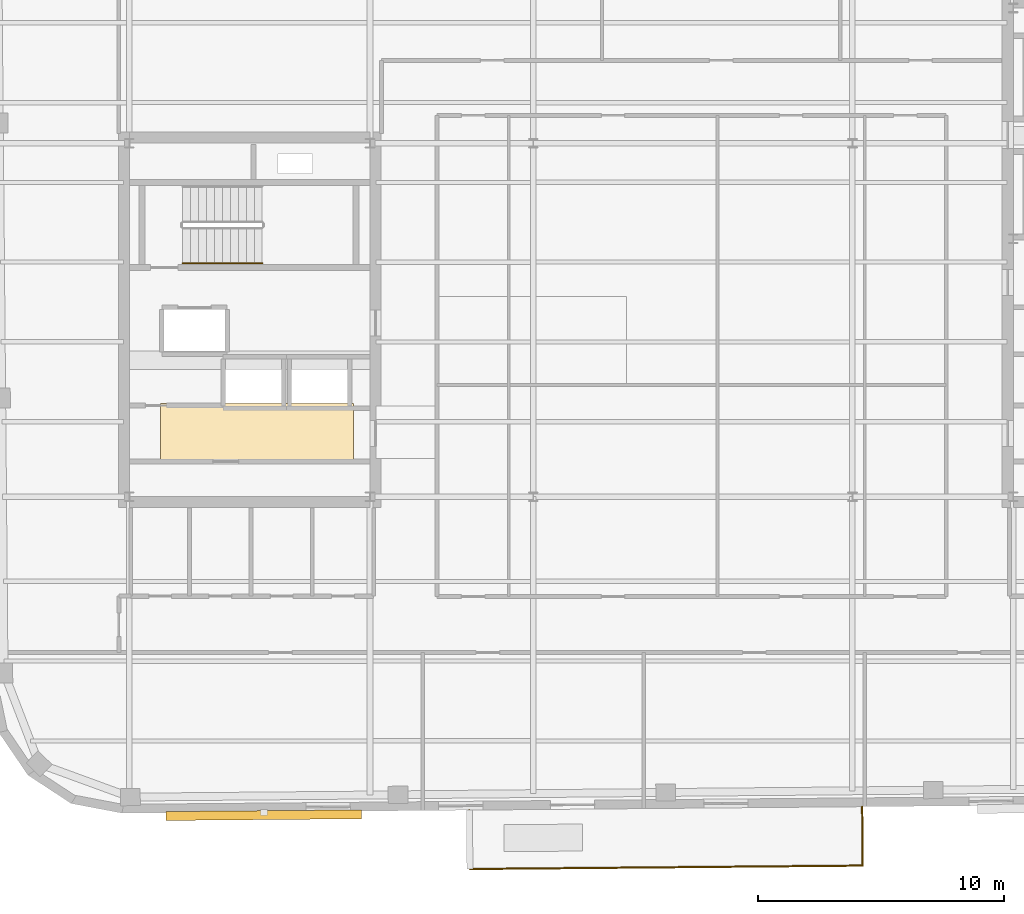
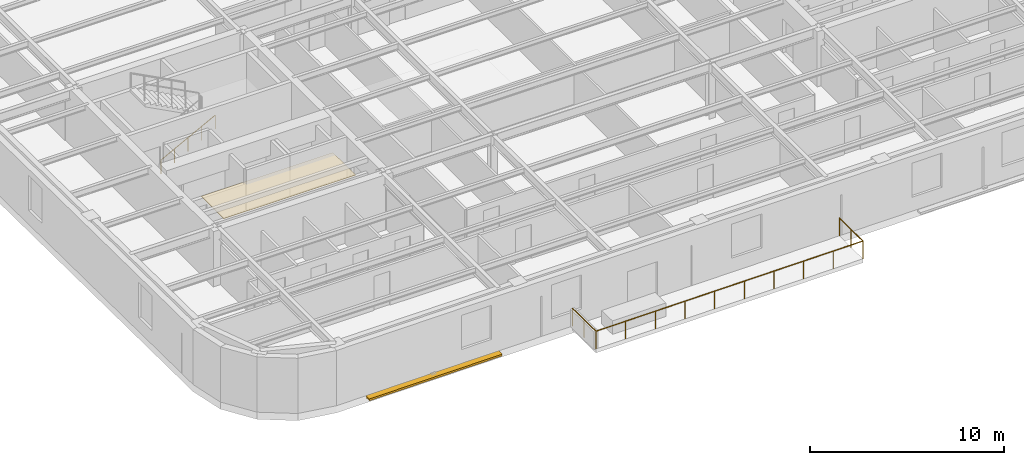
# One storey, part 11 of 14: 2 railings, 1 covering, 1 shading device.
"""IFC4 building model written with IfcOpenShell, lengths in metres."""

from ifc_helpers import new_model, si_unit, direction, frame, origin, origin_2d, place, context, subcontext, project, spatial, polyline, rectangle, circle, outline, extrude, material, layer, layer_set, type_object, element, save


model = new_model("IFC4")

# Units and contexts
model_context = context("Model", 3, precision=1e-05, world=origin(), true_north=direction((0.0, 1.0)))
body_context = subcontext(model_context, "Body", "Model", "MODEL_VIEW")
ifc_project = project(units=[si_unit("LENGTHUNIT", "METRE"), si_unit("AREAUNIT", "SQUARE_METRE"), si_unit("VOLUMEUNIT", "CUBIC_METRE"), si_unit("PLANEANGLEUNIT", "RADIAN"), si_unit("MASSUNIT", "GRAM", prefix="KILO")], contexts=[model_context])

# Site, building, storey
site_placement = place(None, origin())
site = spatial("IfcSite", under=ifc_project, at=site_placement, CompositionType="ELEMENT")
building_placement = place(site_placement, origin())
building = spatial("IfcBuilding", under=site, at=building_placement, Name="Kolvaren Arena Tower", CompositionType="ELEMENT")
storey_placement = place(building_placement, frame((0.0, 0.0, 274.89990234375)))
storey = spatial("IfcBuildingStorey", under=building, at=storey_placement, Name="L67", CompositionType="ELEMENT", Elevation=274.89990234375)

# Covering
ifc_material_1 = material(Name="Moisture-resistant gypsum ceiling", Category="gypsum")
ifc_layer = layer(ifc_material_1, 0.030029296875)
ifc_layer_set = layer_set([ifc_layer], Name="Moisture-resistant gypsum ceiling")
covering_type = type_object("IfcCoveringType", Name="CEIL-GYP-1", PredefinedType="CEILING", material=ifc_layer_set)
covering_placement = place(storey_placement, frame((0.0, 0.0, 2.52001953125)))
element("IfcCovering", 1, at=covering_placement, inside=storey, type_object=covering_type, Name="Suspended Ceiling (L67)", PredefinedType="CEILING", context=body_context, shape_type="SweptSolid", body=[
    extrude(outline(polyline([(15.820068359375, 20.89990234375), (15.820068359375, 23.239990234375), (23.679931640625, 23.239990234375), (23.679931640625, 20.89990234375), (15.820068359375, 20.89990234375)])), origin(), (0.0, 0.0, 1.0), 0.030029296875),
])

# Railings
ifc_material_2 = material(Name="Stainless steel and laminated glass guard", Category="steel")
railing_type_1 = type_object("IfcRailingType", Name="GUARD-TER-115", PredefinedType="BALUSTRADE", material=ifc_material_2)
railing_1_placement = place(storey_placement, frame((28.397216796875, 6.680908203125, 0.0)))
element("IfcRailing", 2, at=railing_1_placement, inside=storey, type_object=railing_type_1, Name="Setback Terrace Perimeter Guardrail (L67)", PredefinedType="BALUSTRADE", context=body_context, shape_type="SweptSolid", body=[
    extrude(circle(Radius=0.030029296875, at=origin_2d()), frame((0.0, 0.0, 1.119873046875), z_axis=(0.00864667573, -0.999962616801, 0.0), x_axis=(0.999962616801, 0.00864667573, 0.0)), (0.0, 0.0, 1.0), 2.39990234375),
    extrude(circle(Radius=0.030029296875, at=origin_2d()), frame((0.020751953125, -2.39990234375, 1.119873046875), z_axis=(0.999961777332, 0.008743218763, 0.0), x_axis=(-0.008743218763, 0.999961777332, 0.0)), (0.0, 0.0, 1.0), 16.000244140625),
    extrude(circle(Radius=0.030029296875, at=origin_2d()), frame((16.020263671875, -2.260009765625, 1.119873046875), z_axis=(-0.008748393587, 0.999961732073, 0.0), x_axis=(-0.999961732073, -0.008748393587, 0.0)), (0.0, 0.0, 1.0), 2.39990234375),
    extrude(circle(Radius=0.02490234375, at=origin_2d()), origin(), (0.0, 0.0, 1.0), 1.08984375),
    extrude(circle(Radius=0.02490234375, at=origin_2d()), frame((0.01025390625, -1.199951171875, 0.0)), (0.0, 0.0, 1.0), 1.08984375),
    extrude(circle(Radius=0.02490234375, at=origin_2d()), frame((0.020751953125, -2.39990234375, 0.0)), (0.0, 0.0, 1.0), 1.08984375),
    extrude(circle(Radius=0.02490234375, at=origin_2d()), frame((1.798583984375, -2.38427734375, 0.0)), (0.0, 0.0, 1.0), 1.08984375),
    extrude(circle(Radius=0.02490234375, at=origin_2d()), frame((3.576171875, -2.368896484375, 0.0)), (0.0, 0.0, 1.0), 1.08984375),
    extrude(circle(Radius=0.02490234375, at=origin_2d()), frame((5.35400390625, -2.353271484375, 0.0)), (0.0, 0.0, 1.0), 1.08984375),
    extrude(circle(Radius=0.02490234375, at=origin_2d()), frame((7.131591796875, -2.337646484375, 0.0)), (0.0, 0.0, 1.0), 1.08984375),
    extrude(circle(Radius=0.02490234375, at=origin_2d()), frame((8.909423828125, -2.322265625, 0.0)), (0.0, 0.0, 1.0), 1.08984375),
    extrude(circle(Radius=0.02490234375, at=origin_2d()), frame((10.68701171875, -2.306640625, 0.0)), (0.0, 0.0, 1.0), 1.08984375),
    extrude(circle(Radius=0.02490234375, at=origin_2d()), frame((12.46484375, -2.291015625, 0.0)), (0.0, 0.0, 1.0), 1.08984375),
    extrude(circle(Radius=0.02490234375, at=origin_2d()), frame((14.242431640625, -2.275634765625, 0.0)), (0.0, 0.0, 1.0), 1.08984375),
    extrude(circle(Radius=0.02490234375, at=origin_2d()), frame((16.020263671875, -2.260009765625, 0.0)), (0.0, 0.0, 1.0), 1.08984375),
    extrude(circle(Radius=0.02490234375, at=origin_2d()), frame((16.009765625, -1.06005859375, 0.0)), (0.0, 0.0, 1.0), 1.08984375),
    extrude(circle(Radius=0.02490234375, at=origin_2d()), frame((15.999267578125, 0.139892578125, 0.0)), (0.0, 0.0, 1.0), 1.08984375),
])
ifc_material_3 = material(Name="Brushed stainless steel handrail", Category="steel")
railing_type_2 = type_object("IfcRailingType", Name="HRAIL-900", PredefinedType="HANDRAIL", material=ifc_material_3)
railing_2_placement = place(storey_placement, frame((16.719970703125, 28.949951171875, 0.170654296875)))
element("IfcRailing", 3, at=railing_2_placement, inside=storey, type_object=railing_type_2, Name="L67 ST-W1 stair handrail 1", PredefinedType="HANDRAIL", context=body_context, shape_type="SweptSolid", body=[
    extrude(circle(Radius=0.02392578125, at=origin_2d()), frame((0.0, 0.0, 0.8759765625), z_axis=(0.885020909582, 0.0, 0.465551274945), x_axis=(0.0, 1.0, 0.0)), (0.0, 0.0, 1.0), 3.660888671875),
    extrude(circle(Radius=0.02099609375, at=origin_2d()), origin(), (0.0, 0.0, 1.0), 0.851806640625),
    extrude(circle(Radius=0.02099609375, at=origin_2d()), frame((0.81005859375, 0.0, 0.426025390625)), (0.0, 0.0, 1.0), 0.851806640625),
    extrude(circle(Radius=0.02099609375, at=origin_2d()), frame((1.6201171875, 0.0, 0.85205078125)), (0.0, 0.0, 1.0), 0.851806640625),
    extrude(circle(Radius=0.02099609375, at=origin_2d()), frame((2.429931640625, 0.0, 1.2783203125)), (0.0, 0.0, 1.0), 0.851806640625),
    extrude(circle(Radius=0.02099609375, at=origin_2d()), frame((3.239990234375, 0.0, 1.704345703125)), (0.0, 0.0, 1.0), 0.851806640625),
])

# Shading device
ifc_material_4 = material(Name="Architectural precast GFRC and anodised aluminium sunshade", Category="concrete")
shading_device_type = type_object("IfcShadingDeviceType", Name="SHAD-SINE-A", PredefinedType="USERDEFINED", material=ifc_material_4)
shading_device_placement = place(storey_placement, frame((20.028564453125, 6.4755859375, -0.139892578125), z_axis=(0.0, 0.0, 1.0), x_axis=(-0.999961923064, -0.008726535498, 0.0)))
element("IfcShadingDevice", 4, at=shading_device_placement, inside=storey, type_object=shading_device_type, Name="Sinusoidal Slab-Edge Sunshade Louvre (L67)", ObjectType="LOUVRE", PredefinedType="USERDEFINED", context=body_context, shape_type="SweptSolid", body=[
    extrude(rectangle(XDim=7.9599609375, YDim=0.364990234375, at=origin_2d()), origin(), (0.0, 0.0, 1.0), 0.1201171875),
])

save(model, "model.ifc")
